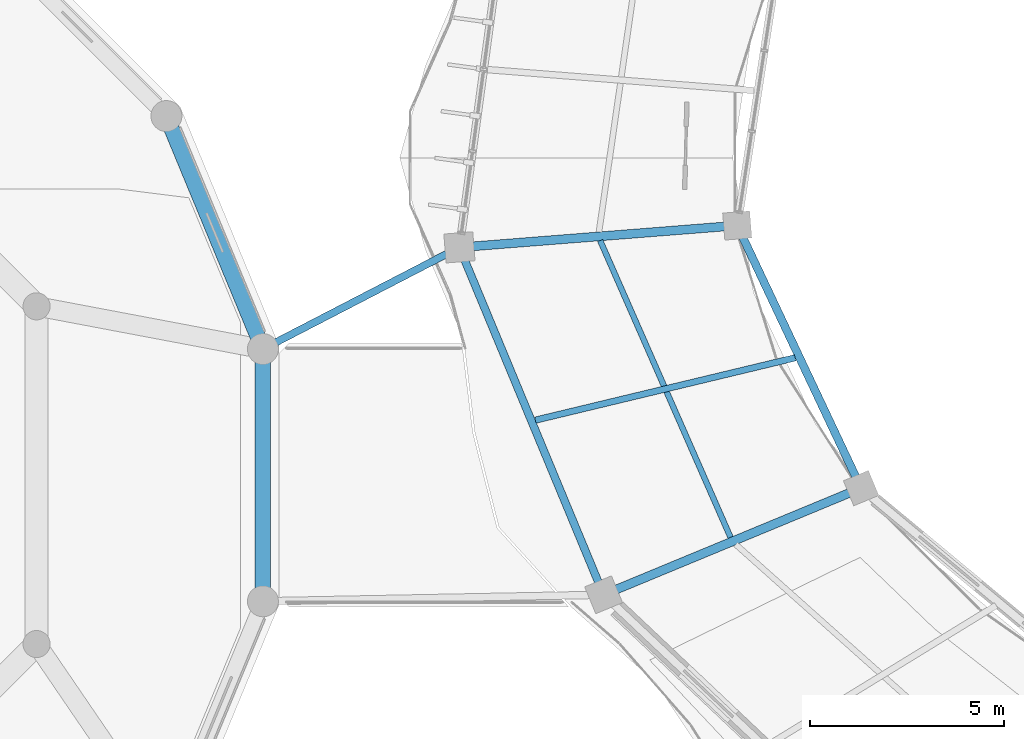
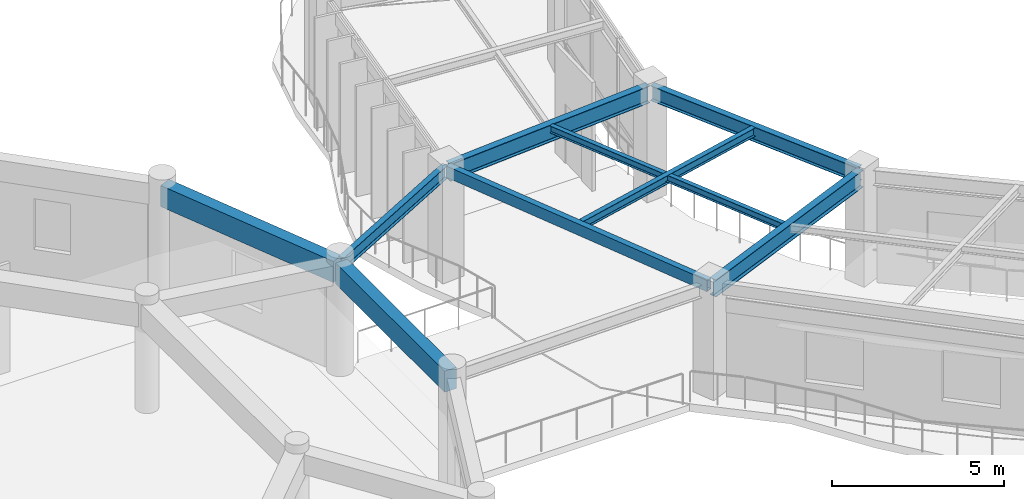
# One storey, part 51 of 152: 9 beams.
"""IFC4 building model written with IfcOpenShell, lengths in metres."""

import ifcopenshell
import ifcopenshell.guid

model = None  # the IFC model being written
_history = None  # IfcOwnerHistory: only IFC2X3 demands one
_inside = {}  # id of a spatial element -> (the spatial element, [elements in it])
_under = {}  # id of a project, library or spatial element -> (it, [spatial elements below it])
_declared = {}  # id of a project -> (the project, [libraries it declares])
_typed = {}  # id of a type object -> (the type object, [elements of that type])
_made_of = {}  # id of a material, layer set ... -> (it, [elements and type objects made of it])


def new_model(schema):
    """Start an empty IFC model of exactly this schema.

    Asked for "IFC4X3", IfcOpenShell would pick the latest addendum, in which some entities
    have other attributes; the version numbers below select the first issue.
    IFC2X3 requires an IfcOwnerHistory on every rooted entity: one is made here for all.
    """
    global model, _history
    if schema == "IFC4X3":
        model = ifcopenshell.file(schema_version=(4, 3, 0, 0))
    else:
        model = ifcopenshell.file(schema=schema)
    _inside.clear()
    _under.clear()
    _declared.clear()
    _typed.clear()
    _made_of.clear()
    _history = None
    if model.schema == "IFC2X3":
        org = make("IfcOrganization", Name="unknown")
        user = make(
            "IfcPersonAndOrganization",
            ThePerson=make("IfcPerson", FamilyName="unknown"),
            TheOrganization=org,
        )
        app = make(
            "IfcApplication",
            ApplicationDeveloper=org,
            Version="unknown",
            ApplicationFullName="unknown",
            ApplicationIdentifier="unknown",
        )
        _history = make(
            "IfcOwnerHistory",
            OwningUser=user,
            OwningApplication=app,
            ChangeAction="ADDED",
            CreationDate=0,
        )
    return model


def make(cls, **values):
    """One entity of the class cls with the attributes given. An attribute that is None is left unset."""
    return model.create_entity(
        cls, **{name: value for name, value in values.items() if value is not None}
    )


def rooted(cls, **values):
    """An entity with a GlobalId (a new one), such as an element, a storey or a relation."""
    return make(cls, GlobalId=ifcopenshell.guid.new(), OwnerHistory=_history, **values)


def si_unit(unit_type, name, prefix=None):
    """IfcSIUnit, for example si_unit("LENGTHUNIT", "METRE", prefix="MILLI")."""
    return make("IfcSIUnit", UnitType=unit_type, Prefix=prefix, Name=name)


def assignment(units):
    """IfcUnitAssignment: the units of a project."""
    return None if units is None else make("IfcUnitAssignment", Units=units)


def point(xyz):
    """IfcCartesianPoint."""
    return None if xyz is None else make("IfcCartesianPoint", Coordinates=xyz)


def direction(xyz):
    """IfcDirection."""
    return None if xyz is None else make("IfcDirection", DirectionRatios=xyz)


def frame(location, z_axis=None, x_axis=None):
    """IfcAxis2Placement3D, a coordinate frame: its origin and axes. An axis left out is left unset."""
    return make(
        "IfcAxis2Placement3D",
        Location=point(location),
        Axis=direction(z_axis),
        RefDirection=direction(x_axis),
    )


def frame_2d(location, x_axis=None):
    """IfcAxis2Placement2D, a coordinate frame in the plane: its origin and x axis."""
    return make(
        "IfcAxis2Placement2D", Location=point(location), RefDirection=direction(x_axis)
    )


def origin():
    """The frame at (0, 0, 0) with its axes left unset."""
    return frame((0.0, 0.0, 0.0))


def origin_2d():
    """The frame at (0, 0) in the plane with its x axis left unset."""
    return frame_2d((0.0, 0.0))


def place(relative_to, where):
    """IfcLocalPlacement: puts the frame where relative to a parent placement (None: the world)."""
    return make(
        "IfcLocalPlacement", PlacementRelTo=relative_to, RelativePlacement=where
    )


def context(
    kind, dimensions, precision=None, world=None, true_north=None, identifier=None
):
    """IfcGeometricRepresentationContext, for example the 3D "Model" context."""
    return make(
        "IfcGeometricRepresentationContext",
        ContextIdentifier=identifier,
        ContextType=kind,
        CoordinateSpaceDimension=dimensions,
        Precision=precision,
        WorldCoordinateSystem=world,
        TrueNorth=true_north,
    )


def subcontext(parent, identifier, kind, view, scale=None):
    """IfcGeometricRepresentationSubContext, for example "Body" below "Model"."""
    return make(
        "IfcGeometricRepresentationSubContext",
        ContextIdentifier=identifier,
        ContextType=kind,
        ParentContext=parent,
        TargetScale=scale,
        TargetView=view,
    )


def project(units=None, contexts=None):
    """IfcProject with its units and contexts."""
    return rooted(
        "IfcProject",
        Name="project",
        RepresentationContexts=contexts,
        UnitsInContext=assignment(units),
    )


def spatial(cls, under=None, at=None, **own):
    """A site, building, storey or space (cls), placed at a placement, below another one or the project."""
    s = rooted(cls, ObjectPlacement=at, **own)
    if under is not None:
        _under.setdefault(under.id(), (under, []))[1].append(s)
    return s


def profile(cls, at=None, kind="AREA", **sizes):
    """A parametric profile (cls). Its sizes go by their IFC names, for example OverallWidth=200.0."""
    return make(cls, ProfileType=kind, Position=at, **sizes)


def rectangle(**sizes):
    """IfcRectangleProfileDef."""
    return profile("IfcRectangleProfileDef", **sizes)


def hollow_rectangle(**sizes):
    """IfcRectangleHollowProfileDef."""
    return profile("IfcRectangleHollowProfileDef", **sizes)


def i_section(**sizes):
    """IfcIShapeProfileDef."""
    return profile("IfcIShapeProfileDef", **sizes)


def extrude(swept, where, along, depth):
    """IfcExtrudedAreaSolid: the profile swept, set in the frame where, extruded along a direction by depth."""
    return make(
        "IfcExtrudedAreaSolid",
        SweptArea=swept,
        Position=where,
        ExtrudedDirection=direction(along),
        Depth=depth,
    )


def shape(context_of_items, identifier, shape_type, items):
    """IfcShapeRepresentation: the items that make up one representation, for example the "Body"."""
    return make(
        "IfcShapeRepresentation",
        ContextOfItems=context_of_items,
        RepresentationIdentifier=identifier,
        RepresentationType=shape_type,
        Items=items,
    )


def material(Name=None, Category=None):
    """IfcMaterial."""
    return make("IfcMaterial", Name=Name, Category=Category)


def material_profile(
    of_material, cross_section, Name=None, Category=None, Priority=None
):
    """IfcMaterialProfile: a cross section and its material."""
    return make(
        "IfcMaterialProfile",
        Name=Name,
        Material=of_material,
        Profile=cross_section,
        Priority=Priority,
        Category=Category,
    )


def profile_set(profiles, Name=None, composite=None):
    """IfcMaterialProfileSet."""
    return make(
        "IfcMaterialProfileSet",
        Name=Name,
        MaterialProfiles=profiles,
        CompositeProfile=composite,
    )


def made_of(thing, what):
    """Note that an element or type object is made of a material, layer set ...; save() writes the relation."""
    if what is not None:
        _made_of.setdefault(what.id(), (what, []))[1].append(thing)
    return thing


def type_object(cls, material=None, **own):
    """A type object (cls), such as IfcWallType, which elements share."""
    return made_of(rooted(cls, **own), material)


def element(
    cls,
    number,
    at=None,
    inside=None,
    cuts=None,
    type_object=None,
    material=None,
    context=None,
    identifier="Body",
    shape_type=None,
    held_by="IfcProductDefinitionShape",
    body=None,
    shapes=None,
    **own,
):
    """One element of the class cls, such as IfcWall. Its Tag is "e" and its number.

    at: its placement. inside: the storey or other place that contains it. cuts: it is an
    opening in that element (IfcRelVoidsElement). A single representation is given by context,
    identifier, shape_type and body (its items); several are given by shapes. held_by: the class
    of the entity that holds the representations. save() writes the other relations.
    """
    e = rooted(cls, Tag="e%d" % number, ObjectPlacement=at, **own)
    if body is not None:
        shapes = [shape(context, identifier, shape_type, body)]
    if shapes is not None:
        e.Representation = make(held_by, Representations=shapes)
    if inside is not None:
        _inside.setdefault(inside.id(), (inside, []))[1].append(e)
    if cuts is not None:
        rooted(
            "IfcRelVoidsElement", RelatingBuildingElement=cuts, RelatedOpeningElement=e
        )
    if type_object is not None:
        _typed.setdefault(type_object.id(), (type_object, []))[1].append(e)
    return made_of(e, material)


def aggregate(whole, parts):
    """IfcRelAggregates: a whole, such as a stair, and the parts it consists of."""
    return rooted("IfcRelAggregates", RelatingObject=whole, RelatedObjects=parts)


def save(model, path):
    """Write the relations noted so far, then the file.

    IfcRelAggregates (storeys below a building ...), IfcRelContainedInSpatialStructure (elements
    in a storey), IfcRelDefinesByType, IfcRelAssociatesMaterial and IfcRelDeclares: one each for
    every whole, place, type object, material and project.
    """
    for whole, parts in _under.values():
        aggregate(whole, parts)
    for where, things in _inside.values():
        rooted(
            "IfcRelContainedInSpatialStructure",
            RelatedElements=things,
            RelatingStructure=where,
        )
    for kind, things in _typed.values():
        rooted("IfcRelDefinesByType", RelatedObjects=things, RelatingType=kind)
    for what, things in _made_of.values():
        rooted("IfcRelAssociatesMaterial", RelatedObjects=things, RelatingMaterial=what)
    for by, libraries in _declared.values():
        rooted("IfcRelDeclares", RelatingContext=by, RelatedDefinitions=libraries)
    model.write(path)


model = new_model("IFC4")

# Units and contexts
model_context = context("Model", 3, precision=1e-05, world=origin(), true_north=direction((0.0, 1.0)))
body_context = subcontext(model_context, "Body", "Model", "MODEL_VIEW")
ifc_project = project(units=[si_unit("LENGTHUNIT", "METRE"), si_unit("AREAUNIT", "SQUARE_METRE"), si_unit("VOLUMEUNIT", "CUBIC_METRE"), si_unit("PLANEANGLEUNIT", "RADIAN"), si_unit("MASSUNIT", "GRAM", prefix="KILO"), si_unit("THERMODYNAMICTEMPERATUREUNIT", "KELVIN"), si_unit("POWERUNIT", "WATT")], contexts=[model_context])

# Site, building, storey
site_placement = place(None, origin())
site = spatial("IfcSite", under=ifc_project, at=site_placement, CompositionType="ELEMENT")
building_placement = place(site_placement, origin())
building = spatial("IfcBuilding", under=site, at=building_placement, Name="Darbajah Civic Hall", CompositionType="ELEMENT")
storey_placement = place(building_placement, frame((0.0, 0.0, 5.39990234375)))
storey = spatial("IfcBuildingStorey", under=building, at=storey_placement, Name="L01", CompositionType="ELEMENT", Elevation=5.39990234375)

# Beams
ifc_material_1 = material(Name="Concrete C45/55", Category="concrete")
ifc_material_profile_1 = material_profile(ifc_material_1, rectangle(XDim=0.39990234375, YDim=0.75, at=origin_2d()), Name="RC SPANDREL 400x750")
ifc_profile_set_1 = profile_set([ifc_material_profile_1], Name="Concrete C45/55")
beam_type_1 = type_object("IfcBeamType", Name="RC SPANDREL 400x750", PredefinedType="SPANDREL", material=ifc_profile_set_1)
for number, where, z_axis, x_axis, name in (
    (1, (33.1455078125, 84.94140625, 3.505126953125), (-0.382683011449, 0.92387970686, 0.0), (-0.92387970686, -0.382683011449, 0.0), "L01 beam SP-4075"),
    (2, (33.179931640625, 78.431884765625, 3.505126953125), (0.0, 1.0, 0.0), (-1.0, 0.0, 0.0), "L01 beam SP-4075"),
):
    element("IfcBeam", number, at=place(storey_placement, frame(where, z_axis=z_axis, x_axis=x_axis)), inside=storey, type_object=beam_type_1, Name=name, PredefinedType="SPANDREL", context=body_context, shape_type="SweptSolid", body=[
        extrude(rectangle(XDim=0.39990234375, YDim=0.75, at=origin_2d()), origin(), (0.0, 0.0, 1.0), 6.33642578125),
    ])
ifc_material_2 = material(Name="Steel S355JR", Category="steel")
ifc_material_profile_2 = material_profile(ifc_material_2, hollow_rectangle(XDim=0.199951171875, YDim=0.39990234375, WallThickness=0.013916015625, at=origin_2d()), Name="RHS 400x200x14")
ifc_profile_set_2 = profile_set([ifc_material_profile_2], Name="Steel S355JR")
beam_type_2 = type_object("IfcBeamType", Name="RHS 400x200x14", PredefinedType="SPANDREL", material=ifc_profile_set_2)
beam_1_placement = place(storey_placement, frame((38.287841796875, 87.41162109375, 3.72021484375), z_axis=(0.38333984527, -0.923607364104, 0.0), x_axis=(0.923607364104, 0.38333984527, 0.0)))
element("IfcBeam", 3, at=beam_1_placement, inside=storey, type_object=beam_type_2, Name="L01 beam SP-RHS400", PredefinedType="SPANDREL", context=body_context, shape_type="SweptSolid", body=[
    extrude(hollow_rectangle(XDim=0.199951171875, YDim=0.39990234375, WallThickness=0.013916015625, at=origin_2d()), origin(), (0.0, 0.0, 1.0), 9.556884765625),
])
ifc_material_profile_3 = material_profile(ifc_material_2, i_section(OverallWidth=0.146484375, OverallDepth=0.256103515625, WebThickness=0.00634765625, FlangeThickness=0.010986328125, FilletRadius=0.007568359375, at=origin_2d()), Name="UB 254x146x37")
ifc_profile_set_3 = profile_set([ifc_material_profile_3], Name="Steel S355JR")
beam_type_3 = type_object("IfcBeamType", Name="UB 254x146x37", PredefinedType="JOIST", material=ifc_profile_set_3)
beam_2_placement = place(storey_placement, frame((41.892822265625, 87.66162109375, 3.7919921875), z_axis=(0.402255928137, -0.915527262444, 0.0), x_axis=(0.915527262444, 0.402255928137, 0.0)))
element("IfcBeam", 4, at=beam_2_placement, inside=storey, type_object=beam_type_3, Name="L01 beam SJ-254", PredefinedType="JOIST", context=body_context, shape_type="SweptSolid", body=[
    extrude(i_section(OverallWidth=0.146484375, OverallDepth=0.256103515625, WebThickness=0.00634765625, FlangeThickness=0.010986328125, FilletRadius=0.007568359375, at=origin_2d()), origin(), (0.0, 0.0, 1.0), 8.37451171875),
])
ifc_material_profile_4 = material_profile(ifc_material_2, i_section(OverallWidth=0.165771484375, OverallDepth=0.306640625, WebThickness=0.006591796875, FlangeThickness=0.01171875, FilletRadius=0.0087890625, at=origin_2d()), Name="UB 305x165x46")
ifc_profile_set_4 = profile_set([ifc_material_profile_4], Name="Steel S355JR")
beam_type_4 = type_object("IfcBeamType", Name="UB 305x165x46", PredefinedType="JOIST", material=ifc_profile_set_4)
beam_3_placement = place(storey_placement, frame((46.931396484375, 84.633544921875, 3.766845703125), z_axis=(-0.972369643286, -0.233446518106, 0.0), x_axis=(0.233446518106, -0.972369643286, 0.0)))
element("IfcBeam", 5, at=beam_3_placement, inside=storey, type_object=beam_type_4, Name="L01 beam SJ-305", PredefinedType="JOIST", context=body_context, shape_type="SweptSolid", body=[
    extrude(i_section(OverallWidth=0.165771484375, OverallDepth=0.306640625, WebThickness=0.006591796875, FlangeThickness=0.01171875, FilletRadius=0.0087890625, at=origin_2d()), origin(), (0.0, 0.0, 1.0), 6.9033203125),
])
ifc_material_profile_5 = material_profile(ifc_material_2, i_section(OverallWidth=0.1904296875, OverallDepth=0.45703125, WebThickness=0.009033203125, FlangeThickness=0.014404296875, FilletRadius=0.01025390625, at=origin_2d()), Name="UB 457x191x74")
ifc_profile_set_5 = profile_set([ifc_material_profile_5], Name="Steel S355JR")
beam_type_5 = type_object("IfcBeamType", Name="UB 457x191x74", PredefinedType="BEAM", material=ifc_profile_set_5)
beam_4_placement = place(storey_placement, frame((33.2333984375, 84.8857421875, 3.70166015625), z_axis=(0.888120023882, 0.459611600354, 0.0), x_axis=(-0.459611600354, 0.888120023882, 0.0)))
element("IfcBeam", 6, at=beam_4_placement, inside=storey, type_object=beam_type_5, Name="L01 beam SB-457", PredefinedType="BEAM", context=body_context, shape_type="SweptSolid", body=[
    extrude(i_section(OverallWidth=0.1904296875, OverallDepth=0.45703125, WebThickness=0.009033203125, FlangeThickness=0.014404296875, FilletRadius=0.01025390625, at=origin_2d()), origin(), (0.0, 0.0, 1.0), 5.5966796875),
])
ifc_material_profile_6 = material_profile(ifc_material_2, i_section(OverallWidth=0.209228515625, OverallDepth=0.533203125, WebThickness=0.010009765625, FlangeThickness=0.015625, FilletRadius=0.0126953125, at=origin_2d()), Name="UB 533x210x92")
ifc_profile_set_6 = profile_set([ifc_material_profile_6], Name="Steel S355JR")
beam_type_6 = type_object("IfcBeamType", Name="UB 533x210x92", PredefinedType="BEAM", material=ifc_profile_set_6)
beam_5_placement = place(storey_placement, frame((45.468994140625, 87.97802734375, 3.653564453125), z_axis=(0.426541677675, -0.904467908334, 0.0), x_axis=(0.904467908334, 0.426541677675, 0.0)))
element("IfcBeam", 7, at=beam_5_placement, inside=storey, type_object=beam_type_6, Name="L01 beam SB-533", PredefinedType="BEAM", context=body_context, shape_type="SweptSolid", body=[
    extrude(i_section(OverallWidth=0.209228515625, OverallDepth=0.533203125, WebThickness=0.010009765625, FlangeThickness=0.015625, FilletRadius=0.0126953125, at=origin_2d()), origin(), (0.0, 0.0, 1.0), 7.340576171875),
])
ifc_material_profile_7 = material_profile(ifc_material_2, i_section(OverallWidth=0.228271484375, OverallDepth=0.607666015625, WebThickness=0.010986328125, FlangeThickness=0.017333984375, FilletRadius=0.0126953125, at=origin_2d()), Name="UB 610x229x113")
ifc_profile_set_7 = profile_set([ifc_material_profile_7], Name="Steel S355JR")
beam_type_7 = type_object("IfcBeamType", Name="UB 610x229x113", PredefinedType="BEAM", material=ifc_profile_set_7)
beam_6_placement = place(storey_placement, frame((45.355224609375, 88.044189453125, 3.6162109375), z_axis=(-0.996915809033, -0.078478466478, 0.0), x_axis=(0.078478466478, -0.996915809033, 0.0)))
element("IfcBeam", 8, at=beam_6_placement, inside=storey, type_object=beam_type_7, Name="L01 beam SB-610", PredefinedType="BEAM", context=body_context, shape_type="SweptSolid", body=[
    extrude(i_section(OverallWidth=0.228271484375, OverallDepth=0.607666015625, WebThickness=0.010986328125, FlangeThickness=0.017333984375, FilletRadius=0.0126953125, at=origin_2d()), origin(), (0.0, 0.0, 1.0), 7.0400390625),
])
beam_7_placement = place(storey_placement, frame((48.560302734375, 81.235595703125, 3.6162109375), z_axis=(-0.923885389571, -0.382669291867, 0.0), x_axis=(0.382669291867, -0.923885389571, 0.0)))
element("IfcBeam", 9, at=beam_7_placement, inside=storey, type_object=beam_type_7, Name="L01 beam SB-610", PredefinedType="BEAM", context=body_context, shape_type="SweptSolid", body=[
    extrude(i_section(OverallWidth=0.228271484375, OverallDepth=0.607666015625, WebThickness=0.010986328125, FlangeThickness=0.017333984375, FilletRadius=0.0126953125, at=origin_2d()), origin(), (0.0, 0.0, 1.0), 7.040283203125),
])

save(model, "model.ifc")
